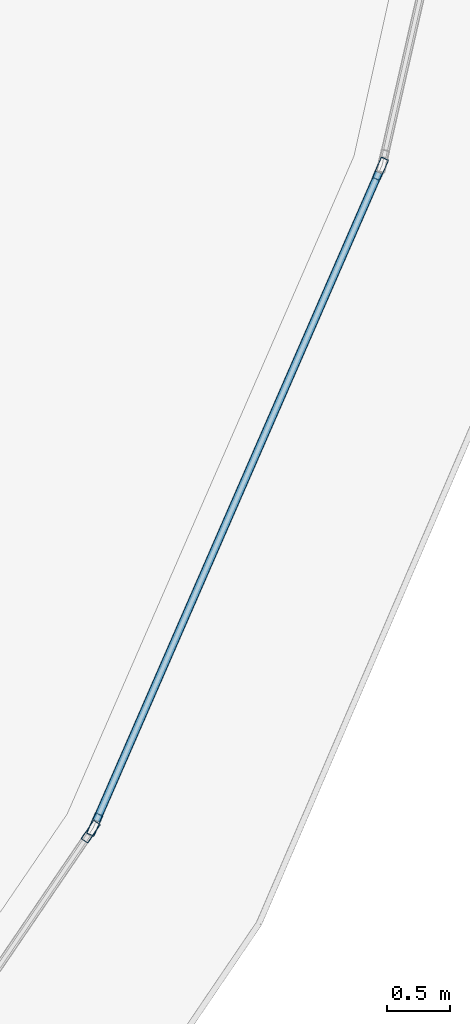
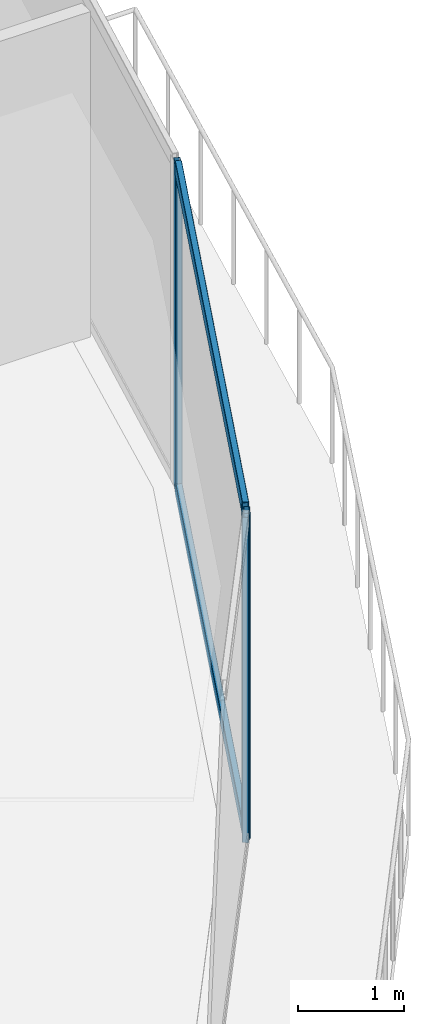
# One storey, part 12 of 34: 5 members, 2 elements without a shape of their own.
"""IFC4 building model written with IfcOpenShell, lengths in metres."""

from ifc_helpers import new_model, si_unit, direction, frame, origin, origin_2d, place, context, subcontext, project, spatial, hollow_rectangle, extrude, material, layer, layer_set, material_profile, profile_set, type_object, element, aggregate, save


model = new_model("IFC4")

# Units and contexts
model_context = context("Model", 3, precision=1e-05, world=origin(), true_north=direction((0.0, 1.0)))
body_context = subcontext(model_context, "Body", "Model", "MODEL_VIEW")
ifc_project = project(units=[si_unit("LENGTHUNIT", "METRE"), si_unit("AREAUNIT", "SQUARE_METRE"), si_unit("VOLUMEUNIT", "CUBIC_METRE"), si_unit("PLANEANGLEUNIT", "RADIAN"), si_unit("MASSUNIT", "GRAM", prefix="KILO")], contexts=[model_context])

# Site, building, storey
site_placement = place(None, origin())
site = spatial("IfcSite", under=ifc_project, at=site_placement, CompositionType="ELEMENT")
building_placement = place(site_placement, origin())
building = spatial("IfcBuilding", under=site, at=building_placement, Name="Qorvath Tower", CompositionType="ELEMENT")
storey_placement = place(building_placement, frame((0.0, 0.0, 245.550048828125)))
storey = spatial("IfcBuildingStorey", under=building, at=storey_placement, Name="L57", CompositionType="ELEMENT", Elevation=245.550048828125)

# Curtain wall, member
ifc_material_1 = material(Name="Anodised aluminium and triple low-E glass", Category="aluminium")
ifc_layer = layer(ifc_material_1, 0.179931640625)
ifc_layer_set = layer_set([ifc_layer], Name="CW-SYS-3")
curtain_wall_type = type_object("IfcCurtainWallType", Name="CW-SYS-3", PredefinedType="NOTDEFINED", material=ifc_layer_set)
curtain_wall_1_placement = place(storey_placement, origin())
curtain_wall_1 = element("IfcCurtainWall", 1, at=curtain_wall_1_placement, inside=storey, type_object=curtain_wall_type, Name="Curtain Wall CW-3 CW-T-L57-5.1", PredefinedType="NOTDEFINED")
ifc_material_2 = material(Name="Anodised aluminium 6063-T6", Category="aluminium")
ifc_material_profile_1 = material_profile(ifc_material_2, hollow_rectangle(XDim=0.06494140625, YDim=0.179931640625, WallThickness=0.00341796875, InnerFilletRadius=0.00341796875, OuterFilletRadius=0.007080078125, at=origin_2d()), Name="CWM 180x65")
ifc_profile_set_1 = profile_set([ifc_material_profile_1], Name="Anodised aluminium 6063-T6")
member_type_1 = type_object("IfcMemberType", Name="CWM-180", PredefinedType="MULLION", material=ifc_profile_set_1)
member_1_placement = place(storey_placement, frame((-3.9921875, -15.003662109375, 0.0), z_axis=(0.0, 0.0, 1.0), x_axis=(-0.826431361544, 0.563037480685, 0.0)))
member_1 = element("IfcMember", 2, at=member_1_placement, type_object=member_type_1, Name="CW-3 mullion 2", PredefinedType="MULLION", context=body_context, shape_type="SweptSolid", body=[
    extrude(hollow_rectangle(XDim=0.06494140625, YDim=0.179931640625, WallThickness=0.00341796875, InnerFilletRadius=0.00341796875, OuterFilletRadius=0.007080078125, at=origin_2d()), origin(), (0.0, 0.0, 1.0), 3.75),
])
aggregate(curtain_wall_1, [member_1])

# Curtain wall, members
curtain_wall_2_placement = place(storey_placement, origin())
curtain_wall_2 = element("IfcCurtainWall", 3, at=curtain_wall_2_placement, inside=storey, type_object=curtain_wall_type, Name="Curtain Wall CW-3 CW-T-L57-6.1", PredefinedType="NOTDEFINED")
member_2_placement = place(storey_placement, frame((-3.9609375, -14.947021484375, 0.0), z_axis=(0.0, 0.0, 1.0), x_axis=(-0.916700023631, 0.399576108738, 0.0)))
member_2 = element("IfcMember", 4, at=member_2_placement, type_object=member_type_1, Name="CW-3 mullion 1", PredefinedType="MULLION", context=body_context, shape_type="SweptSolid", body=[
    extrude(hollow_rectangle(XDim=0.06494140625, YDim=0.179931640625, WallThickness=0.00341796875, InnerFilletRadius=0.00341796875, OuterFilletRadius=0.007080078125, at=origin_2d()), origin(), (0.0, 0.0, 1.0), 3.75),
])
member_3_placement = place(storey_placement, frame((-1.67529296875, -9.70361328125, 0.0), z_axis=(0.0, 0.0, 1.0), x_axis=(-0.916700023631, 0.399576108738, 0.0)))
member_3 = element("IfcMember", 5, at=member_3_placement, type_object=member_type_1, Name="CW-3 mullion 2", PredefinedType="MULLION", context=body_context, shape_type="SweptSolid", body=[
    extrude(hollow_rectangle(XDim=0.06494140625, YDim=0.179931640625, WallThickness=0.00341796875, InnerFilletRadius=0.00341796875, OuterFilletRadius=0.007080078125, at=origin_2d()), origin(), (0.0, 0.0, 1.0), 3.75),
])
ifc_material_3 = material(Name="Anodised aluminium 6063-T6", Category="aluminium")
ifc_material_profile_2 = material_profile(ifc_material_3, hollow_rectangle(XDim=0.06494140625, YDim=0.159912109375, WallThickness=0.00341796875, InnerFilletRadius=0.00341796875, OuterFilletRadius=0.007080078125, at=origin_2d()), Name="CWT 160x65")
ifc_profile_set_2 = profile_set([ifc_material_profile_2], Name="Anodised aluminium 6063-T6")
member_type_2 = type_object("IfcMemberType", Name="CWT-160", PredefinedType="USERDEFINED", material=ifc_profile_set_2)
member_4_placement = place(storey_placement, frame((-3.947998046875, -14.917236328125, 0.032470703125), z_axis=(0.399570536345, 0.916702452536, 0.0), x_axis=(-0.916702452536, 0.399570536345, 0.0)))
member_4 = element("IfcMember", 6, at=member_4_placement, type_object=member_type_2, Name="CW-3 transom 1.1", ObjectType="TRANSOM", PredefinedType="USERDEFINED", context=body_context, shape_type="SweptSolid", body=[
    extrude(hollow_rectangle(XDim=0.06494140625, YDim=0.159912109375, WallThickness=0.00341796875, InnerFilletRadius=0.00341796875, OuterFilletRadius=0.007080078125, at=origin_2d()), origin(), (0.0, 0.0, 1.0), 5.65478515625),
])
member_5_placement = place(storey_placement, frame((-3.947998046875, -14.917236328125, 3.717529296875), z_axis=(0.399570536345, 0.916702452536, 0.0), x_axis=(-0.916702452536, 0.399570536345, 0.0)))
member_5 = element("IfcMember", 7, at=member_5_placement, type_object=member_type_2, Name="CW-3 transom 1.2", ObjectType="TRANSOM", PredefinedType="USERDEFINED", context=body_context, shape_type="SweptSolid", body=[
    extrude(hollow_rectangle(XDim=0.06494140625, YDim=0.159912109375, WallThickness=0.00341796875, InnerFilletRadius=0.00341796875, OuterFilletRadius=0.007080078125, at=origin_2d()), origin(), (0.0, 0.0, 1.0), 5.65478515625),
])
aggregate(curtain_wall_2, [member_2, member_3, member_4, member_5])

save(model, "model.ifc")
